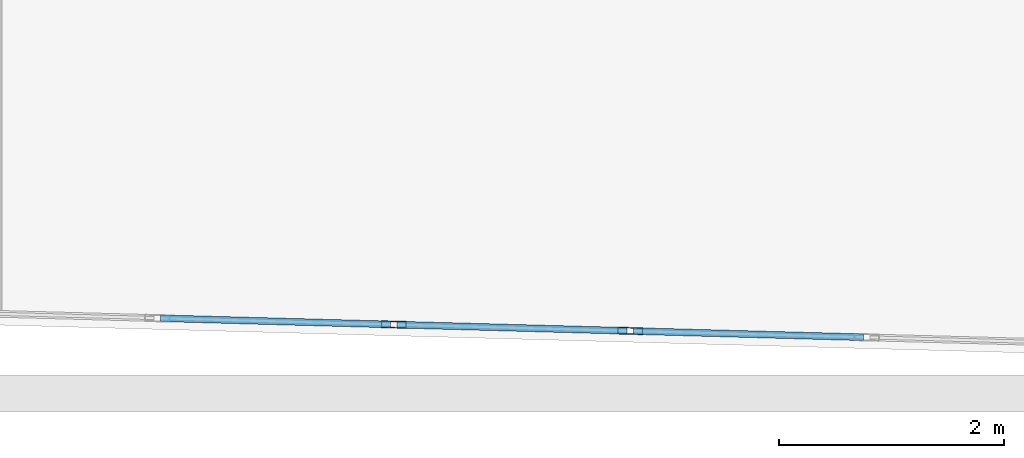
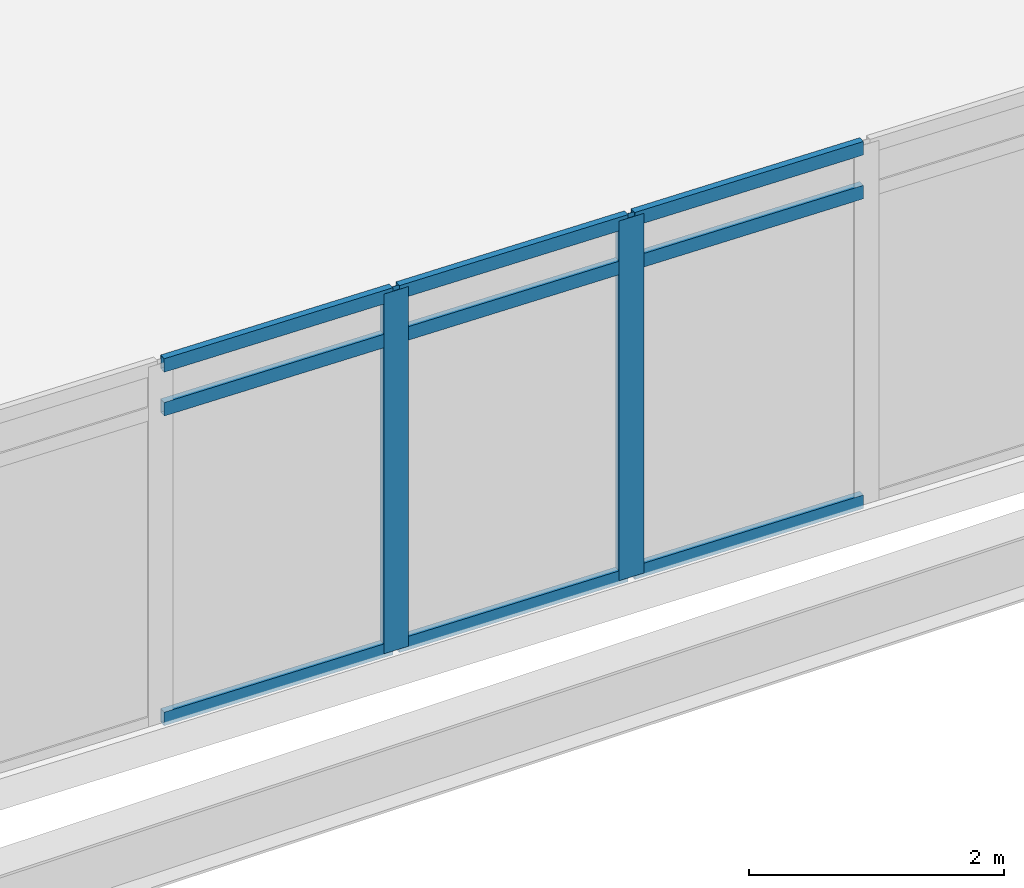
# One storey, part 3 of 28: 11 members, 1 element without a shape of its own.
"""IFC4 building model written with IfcOpenShell, lengths in metres."""

from ifc_helpers import new_model, si_unit, direction, frame, origin, origin_2d, place, context, subcontext, project, spatial, hollow_rectangle, extrude, material, material_profile, profile_set, type_object, element, aggregate, save


model = new_model("IFC4")

# Units and contexts
model_context = context("Model", 3, precision=1e-05, world=origin(), true_north=direction((0.0, 1.0)))
body_context = subcontext(model_context, "Body", "Model", "MODEL_VIEW")
ifc_project = project(units=[si_unit("LENGTHUNIT", "METRE"), si_unit("AREAUNIT", "SQUARE_METRE"), si_unit("VOLUMEUNIT", "CUBIC_METRE"), si_unit("PLANEANGLEUNIT", "RADIAN"), si_unit("MASSUNIT", "GRAM", prefix="KILO")], contexts=[model_context])

# Site, building, storey
site_placement = place(None, origin())
site = spatial("IfcSite", under=ifc_project, at=site_placement, CompositionType="ELEMENT")
building_placement = place(site_placement, origin())
building = spatial("IfcBuilding", under=site, at=building_placement, Name="Ostrander Bayou Hotel Tower", CompositionType="ELEMENT")
storey_placement = place(building_placement, frame((0.0, 0.0, 76.75)))
storey = spatial("IfcBuildingStorey", under=building, at=storey_placement, Name="L19", CompositionType="ELEMENT", Elevation=76.75)

# Curtain wall, members
ifc_material_1 = material(Name="Aluminium and clear glass", Category="aluminium")
curtain_wall_type = type_object("IfcCurtainWallType", Name="CW-BAR glazed wall", PredefinedType="NOTDEFINED", material=ifc_material_1)
curtain_wall_placement = place(storey_placement, origin())
curtain_wall = element("IfcCurtainWall", 1, at=curtain_wall_placement, inside=storey, type_object=curtain_wall_type, Name="CW-BAR L19:SB1S:T", PredefinedType="NOTDEFINED")
ifc_material_2 = material(Name="Aluminium", Category="aluminium")
ifc_material_profile_1 = material_profile(ifc_material_2, hollow_rectangle(XDim=0.06005859375, YDim=0.219970703125, WallThickness=0.00390625, at=origin_2d()))
ifc_profile_set_1 = profile_set([ifc_material_profile_1], Name="Aluminium")
member_type_1 = type_object("IfcMemberType", Name="CW-BR mullion 60 x 220 mm", PredefinedType="MULLION", material=ifc_profile_set_1)
member_1_placement = place(storey_placement, frame((-4.203369140625, -32.336181640625, 0.0), z_axis=(0.0, 0.0, 1.0), x_axis=(0.027042484848, 0.999634285133, 0.0)))
member_1 = element("IfcMember", 2, at=member_1_placement, type_object=member_type_1, Name="CW-BAR mullion 6", PredefinedType="MULLION", context=body_context, shape_type="SweptSolid", body=[
    extrude(hollow_rectangle(XDim=0.06005859375, YDim=0.219970703125, WallThickness=0.00390625, at=origin_2d()), origin(), (0.0, 0.0, 1.0), 3.449951171875),
])
member_2_placement = place(storey_placement, frame((-2.101806640625, -32.39306640625, 0.0), z_axis=(0.0, 0.0, 1.0), x_axis=(0.027042484848, 0.999634285133, 0.0)))
member_2 = element("IfcMember", 3, at=member_2_placement, type_object=member_type_1, Name="CW-BAR mullion 7", PredefinedType="MULLION", context=body_context, shape_type="SweptSolid", body=[
    extrude(hollow_rectangle(XDim=0.06005859375, YDim=0.219970703125, WallThickness=0.00390625, at=origin_2d()), origin(), (0.0, 0.0, 1.0), 3.449951171875),
])
ifc_material_3 = material(Name="Aluminium", Category="aluminium")
ifc_material_profile_2 = material_profile(ifc_material_3, hollow_rectangle(XDim=0.06005859375, YDim=0.1298828125, WallThickness=0.00390625, at=origin_2d()))
ifc_profile_set_2 = profile_set([ifc_material_profile_2], Name="Aluminium")
member_type_2 = type_object("IfcMemberType", Name="CW-BR transom 60 x 130 mm", PredefinedType="USERDEFINED", material=ifc_profile_set_2)
member_3_placement = place(storey_placement, frame((-6.275146484375, -32.2802734375, 0.030029296875), z_axis=(0.999635057116, -0.027013933147, 0.0), x_axis=(0.027013933147, 0.999635057116, 0.0)))
member_3 = element("IfcMember", 4, at=member_3_placement, type_object=member_type_2, Name="CW-BAR transom 5.1", ObjectType="TRANSOM", PredefinedType="USERDEFINED", context=body_context, shape_type="SweptSolid", body=[
    extrude(hollow_rectangle(XDim=0.06005859375, YDim=0.1298828125, WallThickness=0.00390625, at=origin_2d()), origin(), (0.0, 0.0, 1.0), 2.04248046875),
])
member_4_placement = place(storey_placement, frame((-6.275146484375, -32.2802734375, 3.0), z_axis=(0.999635057116, -0.027013933147, 0.0), x_axis=(0.027013933147, 0.999635057116, 0.0)))
member_4 = element("IfcMember", 5, at=member_4_placement, type_object=member_type_2, Name="CW-BAR transom 5.2", ObjectType="TRANSOM", PredefinedType="USERDEFINED", context=body_context, shape_type="SweptSolid", body=[
    extrude(hollow_rectangle(XDim=0.06005859375, YDim=0.1298828125, WallThickness=0.00390625, at=origin_2d()), origin(), (0.0, 0.0, 1.0), 2.04248046875),
])
member_5_placement = place(storey_placement, frame((-6.275146484375, -32.2802734375, 3.419921875), z_axis=(0.999635057116, -0.027013933147, 0.0), x_axis=(0.027013933147, 0.999635057116, 0.0)))
member_5 = element("IfcMember", 6, at=member_5_placement, type_object=member_type_2, Name="CW-BAR transom 5.3", ObjectType="TRANSOM", PredefinedType="USERDEFINED", context=body_context, shape_type="SweptSolid", body=[
    extrude(hollow_rectangle(XDim=0.06005859375, YDim=0.1298828125, WallThickness=0.00390625, at=origin_2d()), origin(), (0.0, 0.0, 1.0), 2.04248046875),
])
member_6_placement = place(storey_placement, frame((-4.173583984375, -32.337158203125, 0.030029296875), z_axis=(0.999635057116, -0.027013933147, 0.0), x_axis=(0.027013933147, 0.999635057116, 0.0)))
member_6 = element("IfcMember", 7, at=member_6_placement, type_object=member_type_2, Name="CW-BAR transom 6.1", ObjectType="TRANSOM", PredefinedType="USERDEFINED", context=body_context, shape_type="SweptSolid", body=[
    extrude(hollow_rectangle(XDim=0.06005859375, YDim=0.1298828125, WallThickness=0.00390625, at=origin_2d()), origin(), (0.0, 0.0, 1.0), 2.04248046875),
])
member_7_placement = place(storey_placement, frame((-4.173583984375, -32.337158203125, 3.0), z_axis=(0.999635057116, -0.027013933147, 0.0), x_axis=(0.027013933147, 0.999635057116, 0.0)))
member_7 = element("IfcMember", 8, at=member_7_placement, type_object=member_type_2, Name="CW-BAR transom 6.2", ObjectType="TRANSOM", PredefinedType="USERDEFINED", context=body_context, shape_type="SweptSolid", body=[
    extrude(hollow_rectangle(XDim=0.06005859375, YDim=0.1298828125, WallThickness=0.00390625, at=origin_2d()), origin(), (0.0, 0.0, 1.0), 2.04248046875),
])
member_8_placement = place(storey_placement, frame((-4.173583984375, -32.337158203125, 3.419921875), z_axis=(0.999635057116, -0.027013933147, 0.0), x_axis=(0.027013933147, 0.999635057116, 0.0)))
member_8 = element("IfcMember", 9, at=member_8_placement, type_object=member_type_2, Name="CW-BAR transom 6.3", ObjectType="TRANSOM", PredefinedType="USERDEFINED", context=body_context, shape_type="SweptSolid", body=[
    extrude(hollow_rectangle(XDim=0.06005859375, YDim=0.1298828125, WallThickness=0.00390625, at=origin_2d()), origin(), (0.0, 0.0, 1.0), 2.04248046875),
])
member_9_placement = place(storey_placement, frame((-2.07177734375, -32.39404296875, 0.030029296875), z_axis=(0.999635057116, -0.027013933147, 0.0), x_axis=(0.027013933147, 0.999635057116, 0.0)))
member_9 = element("IfcMember", 10, at=member_9_placement, type_object=member_type_2, Name="CW-BAR transom 7.1", ObjectType="TRANSOM", PredefinedType="USERDEFINED", context=body_context, shape_type="SweptSolid", body=[
    extrude(hollow_rectangle(XDim=0.06005859375, YDim=0.1298828125, WallThickness=0.00390625, at=origin_2d()), origin(), (0.0, 0.0, 1.0), 2.04248046875),
])
member_10_placement = place(storey_placement, frame((-2.07177734375, -32.39404296875, 3.0), z_axis=(0.999635057116, -0.027013933147, 0.0), x_axis=(0.027013933147, 0.999635057116, 0.0)))
member_10 = element("IfcMember", 11, at=member_10_placement, type_object=member_type_2, Name="CW-BAR transom 7.2", ObjectType="TRANSOM", PredefinedType="USERDEFINED", context=body_context, shape_type="SweptSolid", body=[
    extrude(hollow_rectangle(XDim=0.06005859375, YDim=0.1298828125, WallThickness=0.00390625, at=origin_2d()), origin(), (0.0, 0.0, 1.0), 2.04248046875),
])
member_11_placement = place(storey_placement, frame((-2.07177734375, -32.39404296875, 3.419921875), z_axis=(0.999635057116, -0.027013933147, 0.0), x_axis=(0.027013933147, 0.999635057116, 0.0)))
member_11 = element("IfcMember", 12, at=member_11_placement, type_object=member_type_2, Name="CW-BAR transom 7.3", ObjectType="TRANSOM", PredefinedType="USERDEFINED", context=body_context, shape_type="SweptSolid", body=[
    extrude(hollow_rectangle(XDim=0.06005859375, YDim=0.1298828125, WallThickness=0.00390625, at=origin_2d()), origin(), (0.0, 0.0, 1.0), 2.04248046875),
])
aggregate(curtain_wall, [member_1, member_2, member_3, member_4, member_5, member_6, member_7, member_8, member_9, member_10, member_11])

save(model, "model.ifc")
